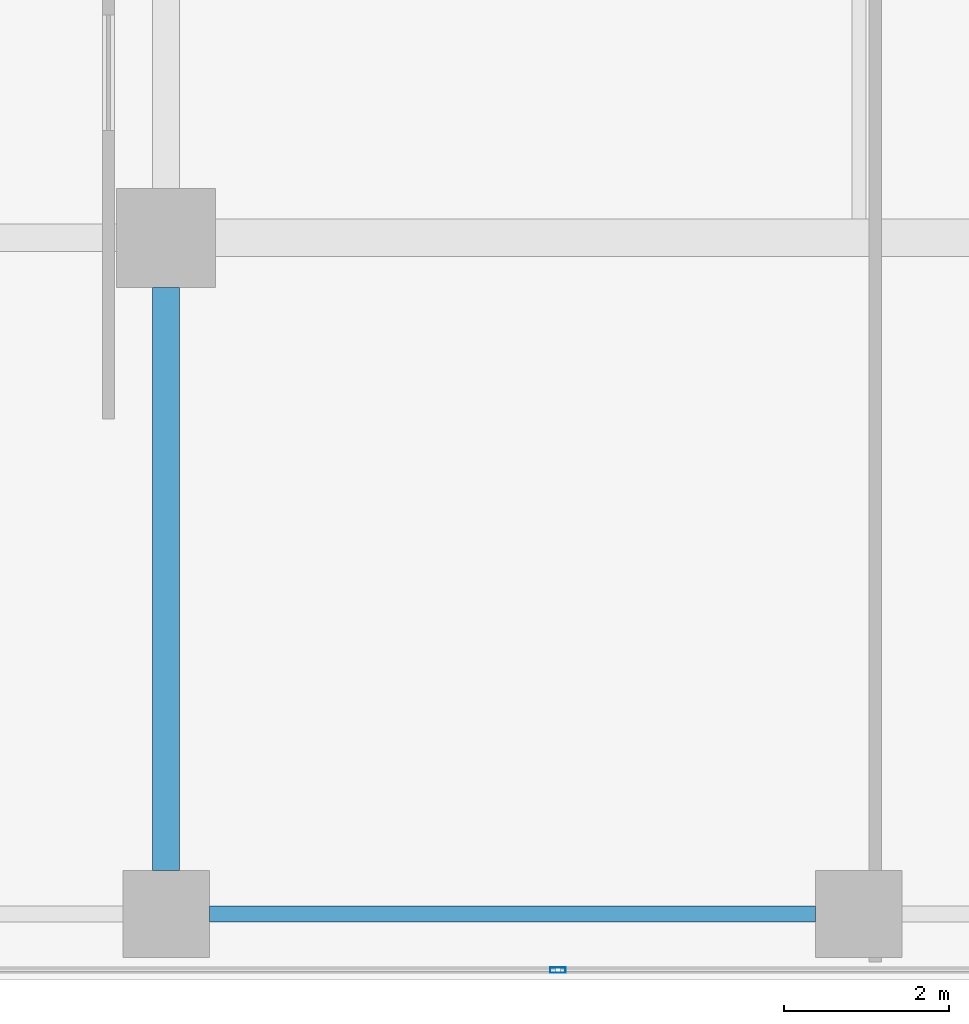
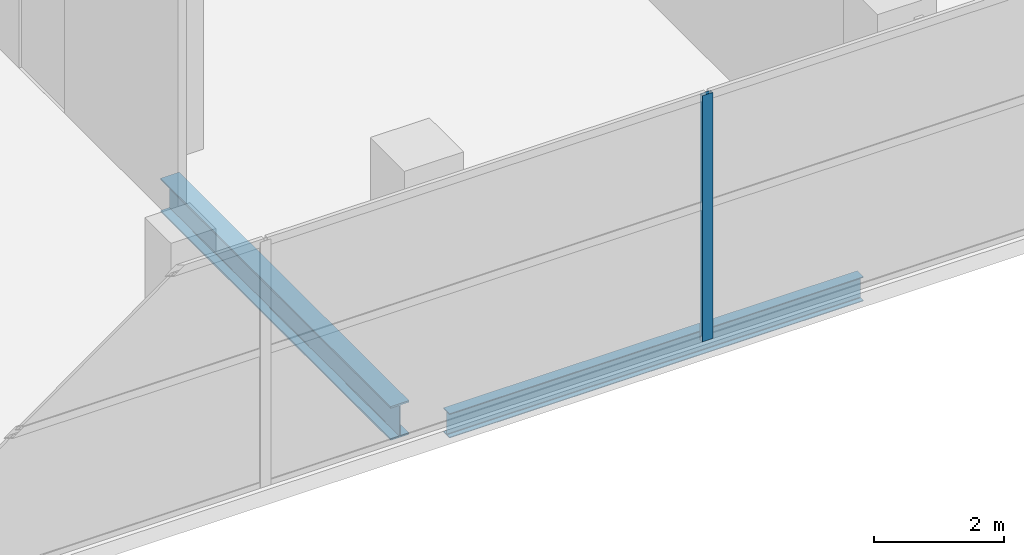
# One storey, part 7 of 39: 2 beams, 1 member, 1 element without a shape of its own.
"""IFC4 building model written with IfcOpenShell, lengths in metres."""

from ifc_helpers import new_model, si_unit, direction, frame, origin, origin_2d, place, context, subcontext, project, spatial, hollow_rectangle, i_section, extrude, material, layer, layer_set, material_profile, profile_set, type_object, element, aggregate, save


model = new_model("IFC4")

# Units and contexts
model_context = context("Model", 3, precision=1e-05, world=origin(), true_north=direction((0.0, 1.0)))
body_context = subcontext(model_context, "Body", "Model", "MODEL_VIEW")
ifc_project = project(units=[si_unit("LENGTHUNIT", "METRE"), si_unit("AREAUNIT", "SQUARE_METRE"), si_unit("VOLUMEUNIT", "CUBIC_METRE"), si_unit("PLANEANGLEUNIT", "RADIAN"), si_unit("MASSUNIT", "GRAM", prefix="KILO")], contexts=[model_context])

# Site, building, storey
site_placement = place(None, origin())
site = spatial("IfcSite", under=ifc_project, at=site_placement, CompositionType="ELEMENT")
building_placement = place(site_placement, origin())
building = spatial("IfcBuilding", under=site, at=building_placement, Name="Maruvema Waterfront Hotel and Observation Tower", CompositionType="ELEMENT")
storey_placement = place(building_placement, frame((0.0, 0.0, 16.449951171875)))
storey = spatial("IfcBuildingStorey", under=building, at=storey_placement, Name="L03", CompositionType="ELEMENT", Elevation=16.449951171875)

# Beam
ifc_material_1 = material(Name="Steel ASTM A572 Grade 50", Category="steel")
ifc_material_profile_1 = material_profile(ifc_material_1, i_section(OverallWidth=0.18994140625, OverallDepth=0.45703125, WebThickness=0.009033203125, FlangeThickness=0.014404296875, FilletRadius=0.014892578125, at=origin_2d()), Name="W460x74.0")
ifc_profile_set_1 = profile_set([ifc_material_profile_1], Name="Steel ASTM A572 Grade 50")
beam_type_1 = type_object("IfcBeamType", Name="Perimeter Spandrel Beam W460x74.0", PredefinedType="SPANDREL", material=ifc_profile_set_1)
beam_1_placement = place(storey_placement, frame((25.72509765625, 0.800048828125, -0.508544921875), z_axis=(1.0, 0.0, 0.0), x_axis=(0.0, 1.0, 0.0)))
element("IfcBeam", 1, at=beam_1_placement, inside=storey, type_object=beam_type_1, Name="L03 Floor Girder EW-04", PredefinedType="SPANDREL", context=body_context, shape_type="SweptSolid", body=[
    extrude(i_section(OverallWidth=0.18994140625, OverallDepth=0.45703125, WebThickness=0.009033203125, FlangeThickness=0.014404296875, FilletRadius=0.014892578125, at=origin_2d()), origin(), (0.0, 0.0, 1.0), 7.349853515625),
])

# Curtain wall, member
ifc_material_2 = material(Name="Anodised bronze aluminium and solar-control low-E IGU", Category="aluminium")
ifc_layer = layer(ifc_material_2, 0.159912109375, Name="Podium Waterfront Storefront Curtain Wall System CW-01")
ifc_layer_set = layer_set([ifc_layer], Name="Anodised bronze aluminium and solar-control low-E IGU")
curtain_wall_type = type_object("IfcCurtainWallType", Name="Podium Waterfront Storefront Curtain Wall System CW-01", PredefinedType="USERDEFINED", material=ifc_layer_set)
curtain_wall_placement = place(storey_placement, origin())
curtain_wall = element("IfcCurtainWall", 2, at=curtain_wall_placement, inside=storey, type_object=curtain_wall_type, Name="L03 Curtain Wall CW-L03-S", ObjectType="UNITISED CURTAIN WALL", PredefinedType="USERDEFINED")
ifc_material_3 = material(Name="Anodised architectural bronze aluminium", Category="aluminium")
ifc_material_profile_2 = material_profile(ifc_material_3, hollow_rectangle(XDim=0.070068359375, YDim=0.18994140625, WallThickness=0.00390625, at=origin_2d()), Name="ALU-M70x190")
ifc_profile_set_2 = profile_set([ifc_material_profile_2], Name="Anodised architectural bronze aluminium")
member_type = type_object("IfcMemberType", Name="Podium Storefront Heavy Mullion ALU-M70x190", PredefinedType="MULLION", material=ifc_profile_set_2)
member_placement = place(storey_placement, frame((29.949951171875, 0.1201171875, 0.0), z_axis=(0.0, 0.0, 1.0), x_axis=(0.0, 1.0, 0.0)))
member = element("IfcMember", 3, at=member_placement, type_object=member_type, Name="CW-01 mullion 4", PredefinedType="MULLION", context=body_context, shape_type="SweptSolid", body=[
    extrude(hollow_rectangle(XDim=0.070068359375, YDim=0.18994140625, WallThickness=0.00390625, at=origin_2d()), origin(), (0.0, 0.0, 1.0), 4.6201171875),
])
aggregate(curtain_wall, [member])

# Beam
ifc_material_4 = material(Name="Steel ASTM A572 Grade 50", Category="steel")
ifc_material_profile_3 = material_profile(ifc_material_4, i_section(OverallWidth=0.3291015625, OverallDepth=0.635009765625, WebThickness=0.017822265625, FlangeThickness=0.031005859375, FilletRadius=0.01806640625, at=origin_2d()), Name="W610x241.0")
ifc_profile_set_3 = profile_set([ifc_material_profile_3], Name="Steel ASTM A572 Grade 50")
beam_type_2 = type_object("IfcBeamType", Name="Primary Floor Girder W610x241.0", PredefinedType="BEAM", material=ifc_profile_set_3)
beam_2_placement = place(storey_placement, frame((25.199951171875, 1.324951171875, -0.597412109375), z_axis=(0.0, 1.0, 0.0), x_axis=(-1.0, 0.0, 0.0)))
element("IfcBeam", 4, at=beam_2_placement, inside=storey, type_object=beam_type_2, Name="L03 Floor Girder NS-13", PredefinedType="BEAM", context=body_context, shape_type="SweptSolid", body=[
    extrude(i_section(OverallWidth=0.3291015625, OverallDepth=0.635009765625, WebThickness=0.017822265625, FlangeThickness=0.031005859375, FilletRadius=0.01806640625, at=origin_2d()), origin(), (0.0, 0.0, 1.0), 7.074951171875),
])

save(model, "model.ifc")
